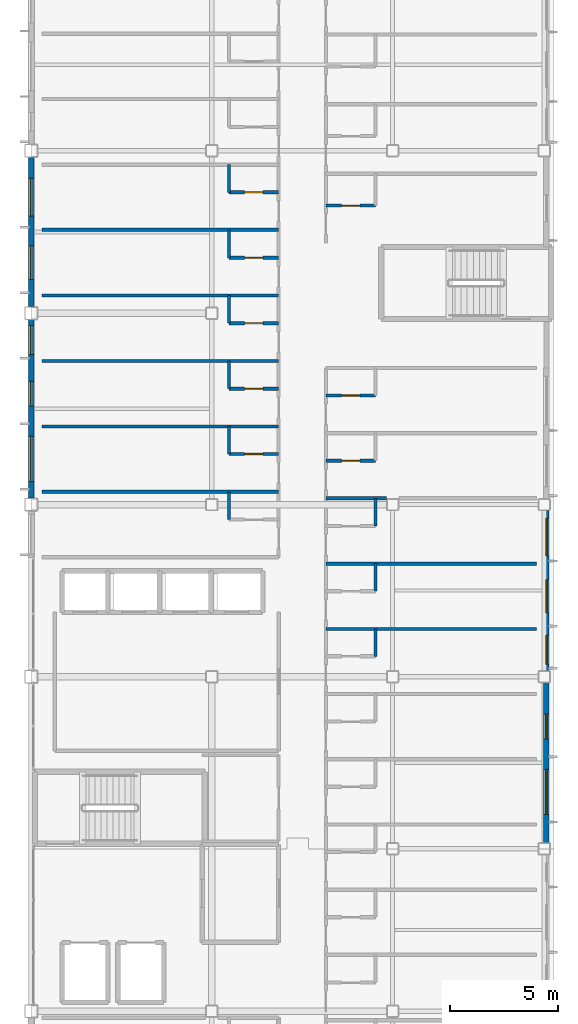
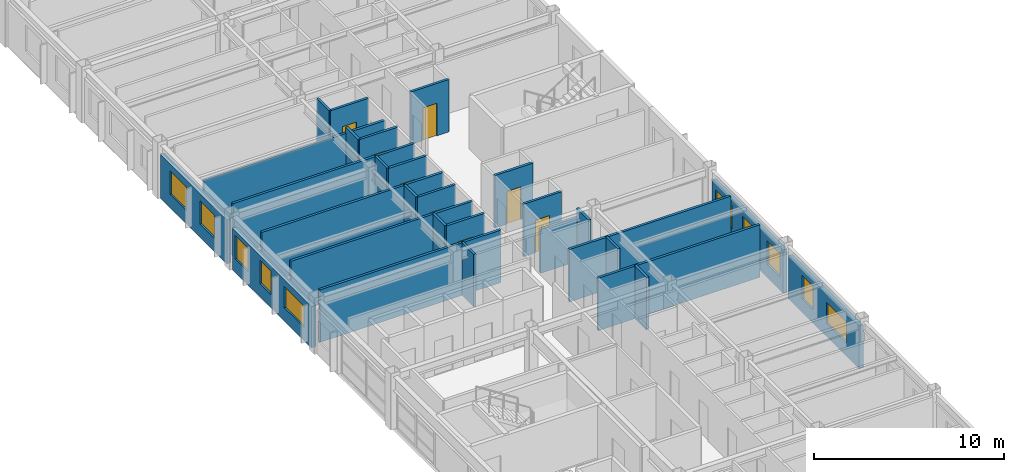
# One storey, part 29 of 38: 29 walls, 10 windows, 8 doors, 18 openings.
"""IFC4 building model written with IfcOpenShell, lengths in metres."""

from ifc_helpers import new_model, si_unit, direction, frame, frame_2d, origin, place, context, subcontext, project, spatial, rectangle, extrude, material, layer, layer_set, type_object, element, fill, save


model = new_model("IFC4")

# Units and contexts
model_context = context("Model", 3, precision=1e-05, world=origin(), true_north=direction((0.0, 1.0)))
body_context = subcontext(model_context, "Body", "Model", "MODEL_VIEW")
ifc_project = project(units=[si_unit("LENGTHUNIT", "METRE"), si_unit("AREAUNIT", "SQUARE_METRE"), si_unit("VOLUMEUNIT", "CUBIC_METRE"), si_unit("PLANEANGLEUNIT", "RADIAN"), si_unit("MASSUNIT", "GRAM", prefix="KILO")], contexts=[model_context])

# Site, building, storey
site_placement = place(None, origin())
site = spatial("IfcSite", under=ifc_project, at=site_placement, CompositionType="ELEMENT")
building_placement = place(site_placement, origin())
building = spatial("IfcBuilding", under=site, at=building_placement, Name="Kazehara Bluff Congress Hotel", CompositionType="ELEMENT")
storey_placement = place(building_placement, frame((0.0, 0.0, 24.60009765625)))
storey = spatial("IfcBuildingStorey", under=building, at=storey_placement, Name="L05", CompositionType="ELEMENT", Elevation=24.60009765625)

# Wall, openings, windows
ifc_material_1 = material(Name="Precast concrete C40/50", Category="concrete")
ifc_layer_1 = layer(ifc_material_1, 0.260009765625)
ifc_layer_set_1 = layer_set([ifc_layer_1], Name="Precast concrete C40/50")
wall_type_1 = type_object("IfcWallType", Name="TP-EW-260", PredefinedType="SOLIDWALL", material=ifc_layer_set_1)
wall_1_placement = place(storey_placement, frame((167.64990234375, 56.175048828125, 0.0), z_axis=(0.0, 0.0, 1.0), x_axis=(0.0, -1.0, 0.0)))
wall_1 = element("IfcWall", 1, at=wall_1_placement, inside=storey, type_object=wall_type_1, Name="L05 hotel facade panel 48", PredefinedType="SOLIDWALL", context=body_context, shape_type="SweptSolid", body=[
    extrude(rectangle(XDim=7.449951171875, YDim=0.260009765625, at=frame_2d((3.72509765625, 0.0))), origin(), (0.0, 0.0, 1.0), 2.7548828125),
])
opening_1_placement = place(wall_1_placement, frame((4.030029296875, 0.0, 0.85009765625)))
opening_1 = element("IfcOpeningElement", 2, at=opening_1_placement, cuts=wall_1, Name="Opening WN-46", PredefinedType="OPENING", context=body_context, shape_type="SweptSolid", body=[
    extrude(rectangle(XDim=2.10009765625, YDim=1.35009765625, at=frame_2d((1.050048828125, 0.675048828125))), frame((0.0, 0.139892578125, 0.0), z_axis=(0.0, -1.0, 0.0), x_axis=(1.0, 0.0, 0.0)), (0.0, 0.0, 1.0), 0.280029296875),
])
opening_2_placement = place(wall_1_placement, frame((1.469970703125, 0.0, 0.85009765625)))
opening_2 = element("IfcOpeningElement", 3, at=opening_2_placement, cuts=wall_1, Name="Opening WN-02", PredefinedType="OPENING", context=body_context, shape_type="SweptSolid", body=[
    extrude(rectangle(XDim=1.14990234375, YDim=1.5, at=frame_2d((0.574951171875, 0.75))), frame((0.0, 0.139892578125, 0.0), z_axis=(0.0, -1.0, 0.0), x_axis=(1.0, 0.0, 0.0)), (0.0, 0.0, 1.0), 0.280029296875),
])
ifc_material_2 = material(Name="Insulated low-E double glazing", Category="glass")
window_type_1 = type_object("IfcWindowType", Name="TP-WN-02", PartitioningType="SINGLE_PANEL", PredefinedType="WINDOW", material=ifc_material_2)
window_1_placement = place(opening_2_placement, origin())
window_1 = element("IfcWindow", 4, at=window_1_placement, inside=storey, type_object=window_type_1, Name="L05 guestroom window WN-02 82", OverallHeight=1.5, OverallWidth=1.14990234375, PartitioningType="SINGLE_PANEL", PredefinedType="WINDOW", context=body_context, shape_type="SweptSolid", body=[
    extrude(rectangle(XDim=1.14990234375, YDim=1.5, at=frame_2d((0.574951171875, 0.75))), frame((0.0, 0.030029296875, 0.0), z_axis=(0.0, -1.0, 0.0), x_axis=(1.0, 0.0, 0.0)), (0.0, 0.0, 1.0), 0.06005859375),
])
fill(opening_2, window_1)
ifc_material_3 = material(Name="Insulated low-E double glazing", Category="glass")
window_type_2 = type_object("IfcWindowType", Name="TP-WN-46", PartitioningType="DOUBLE_PANEL_VERTICAL", PredefinedType="WINDOW", material=ifc_material_3)
window_2_placement = place(opening_1_placement, origin())
window_2 = element("IfcWindow", 5, at=window_2_placement, inside=storey, type_object=window_type_2, Name="L05 guestroom window WN-46 81", OverallHeight=1.35009765625, OverallWidth=2.10009765625, PartitioningType="SINGLE_PANEL", PredefinedType="WINDOW", context=body_context, shape_type="SweptSolid", body=[
    extrude(rectangle(XDim=2.10009765625, YDim=1.35009765625, at=frame_2d((1.050048828125, 0.675048828125))), frame((0.0, 0.030029296875, 0.0), z_axis=(0.0, -1.0, 0.0), x_axis=(1.0, 0.0, 0.0)), (0.0, 0.0, 1.0), 0.06005859375),
])
fill(opening_1, window_2)

wall_2_placement = place(storey_placement, frame((167.64990234375, 64.175048828125, 0.0), z_axis=(0.0, 0.0, 1.0), x_axis=(0.0, -1.0, 0.0)))
wall_2 = element("IfcWall", 6, at=wall_2_placement, inside=storey, type_object=wall_type_1, Name="L05 hotel facade panel 49", PredefinedType="SOLIDWALL", context=body_context, shape_type="SweptSolid", body=[
    extrude(rectangle(XDim=7.449951171875, YDim=0.260009765625, at=frame_2d((3.72509765625, 0.0))), origin(), (0.0, 0.0, 1.0), 2.7548828125),
])
opening_3_placement = place(wall_2_placement, frame((5.800048828125, 0.0, 0.85009765625)))
opening_3 = element("IfcOpeningElement", 7, at=opening_3_placement, cuts=wall_2, Name="Opening WN-12", PredefinedType="OPENING", context=body_context, shape_type="SweptSolid", body=[
    extrude(rectangle(XDim=1.35009765625, YDim=1.5, at=frame_2d((0.675048828125, 0.75))), frame((0.0, 0.139892578125, 0.0), z_axis=(0.0, -1.0, 0.0), x_axis=(1.0, 0.0, 0.0)), (0.0, 0.0, 1.0), 0.280029296875),
])
opening_4_placement = place(wall_2_placement, frame((3.2099609375, 0.0, 0.85009765625)))
opening_4 = element("IfcOpeningElement", 8, at=opening_4_placement, cuts=wall_2, Name="Opening WN-22", PredefinedType="OPENING", context=body_context, shape_type="SweptSolid", body=[
    extrude(rectangle(XDim=1.550048828125, YDim=1.5, at=frame_2d((0.77490234375, 0.75))), frame((0.0, 0.139892578125, 0.0), z_axis=(0.0, -1.0, 0.0), x_axis=(1.0, 0.0, 0.0)), (0.0, 0.0, 1.0), 0.280029296875),
])
opening_5_placement = place(wall_2_placement, frame((0.360107421875, 0.0, 0.85009765625)))
opening_5 = element("IfcOpeningElement", 9, at=opening_5_placement, cuts=wall_2, Name="Opening WN-32", PredefinedType="OPENING", context=body_context, shape_type="SweptSolid", body=[
    extrude(rectangle(XDim=1.75, YDim=1.5, at=frame_2d((0.875, 0.75))), frame((0.0, 0.139892578125, 0.0), z_axis=(0.0, -1.0, 0.0), x_axis=(1.0, 0.0, 0.0)), (0.0, 0.0, 1.0), 0.280029296875),
])
ifc_material_4 = material(Name="Insulated low-E double glazing", Category="glass")
window_type_3 = type_object("IfcWindowType", Name="TP-WN-12", PartitioningType="SINGLE_PANEL", PredefinedType="WINDOW", material=ifc_material_4)
window_3_placement = place(opening_3_placement, origin())
window_3 = element("IfcWindow", 10, at=window_3_placement, inside=storey, type_object=window_type_3, Name="L05 guestroom window WN-12 83", OverallHeight=1.5, OverallWidth=1.35009765625, PartitioningType="SINGLE_PANEL", PredefinedType="WINDOW", context=body_context, shape_type="SweptSolid", body=[
    extrude(rectangle(XDim=1.35009765625, YDim=1.5, at=frame_2d((0.675048828125, 0.75))), frame((0.0, 0.030029296875, 0.0), z_axis=(0.0, -1.0, 0.0), x_axis=(1.0, 0.0, 0.0)), (0.0, 0.0, 1.0), 0.06005859375),
])
fill(opening_3, window_3)
ifc_material_5 = material(Name="Insulated low-E double glazing", Category="glass")
window_type_4 = type_object("IfcWindowType", Name="TP-WN-22", PartitioningType="SINGLE_PANEL", PredefinedType="WINDOW", material=ifc_material_5)
window_4_placement = place(opening_4_placement, origin())
window_4 = element("IfcWindow", 11, at=window_4_placement, inside=storey, type_object=window_type_4, Name="L05 guestroom window WN-22 84", OverallHeight=1.5, OverallWidth=1.550048828125, PartitioningType="SINGLE_PANEL", PredefinedType="WINDOW", context=body_context, shape_type="SweptSolid", body=[
    extrude(rectangle(XDim=1.550048828125, YDim=1.5, at=frame_2d((0.77490234375, 0.75))), frame((0.0, 0.030029296875, 0.0), z_axis=(0.0, -1.0, 0.0), x_axis=(1.0, 0.0, 0.0)), (0.0, 0.0, 1.0), 0.06005859375),
])
fill(opening_4, window_4)
ifc_material_6 = material(Name="Insulated low-E double glazing", Category="glass")
window_type_5 = type_object("IfcWindowType", Name="TP-WN-32", PartitioningType="SINGLE_PANEL", PredefinedType="WINDOW", material=ifc_material_6)
window_5_placement = place(opening_5_placement, origin())
window_5 = element("IfcWindow", 12, at=window_5_placement, inside=storey, type_object=window_type_5, Name="L05 guestroom window WN-32 85", OverallHeight=1.5, OverallWidth=1.75, PartitioningType="SINGLE_PANEL", PredefinedType="WINDOW", context=body_context, shape_type="SweptSolid", body=[
    extrude(rectangle(XDim=1.75, YDim=1.5, at=frame_2d((0.875, 0.75))), frame((0.0, 0.030029296875, 0.0), z_axis=(0.0, -1.0, 0.0), x_axis=(1.0, 0.0, 0.0)), (0.0, 0.0, 1.0), 0.06005859375),
])
fill(opening_5, window_5)

wall_3_placement = place(storey_placement, frame((143.699951171875, 64.75, 0.0), z_axis=(0.0, 0.0, 1.0), x_axis=(0.0, 1.0, 0.0)))
wall_3 = element("IfcWall", 13, at=wall_3_placement, inside=storey, type_object=wall_type_1, Name="L05 hotel facade panel 61", PredefinedType="SOLIDWALL", context=body_context, shape_type="SweptSolid", body=[
    extrude(rectangle(XDim=8.300048828125, YDim=0.260009765625, at=frame_2d((4.14990234375, 0.0))), origin(), (0.0, 0.0, 1.0), 2.65478515625),
])
opening_6_placement = place(wall_3_placement, frame((0.764892578125, 0.0, 0.85009765625)))
opening_6 = element("IfcOpeningElement", 14, at=opening_6_placement, cuts=wall_3, Name="Opening WN-46", PredefinedType="OPENING", context=body_context, shape_type="SweptSolid", body=[
    extrude(rectangle(XDim=2.10009765625, YDim=1.35009765625, at=frame_2d((1.050048828125, 0.675048828125))), frame((0.0, 0.139892578125, 0.0), z_axis=(0.0, -1.0, 0.0), x_axis=(1.0, 0.0, 0.0)), (0.0, 0.0, 1.0), 0.280029296875),
])
opening_7_placement = place(wall_3_placement, frame((4.280029296875, 0.0, 0.85009765625)))
opening_7 = element("IfcOpeningElement", 15, at=opening_7_placement, cuts=wall_3, Name="Opening WN-02", PredefinedType="OPENING", context=body_context, shape_type="SweptSolid", body=[
    extrude(rectangle(XDim=1.14990234375, YDim=1.5, at=frame_2d((0.574951171875, 0.75))), frame((0.0, 0.139892578125, 0.0), z_axis=(0.0, -1.0, 0.0), x_axis=(1.0, 0.0, 0.0)), (0.0, 0.0, 1.0), 0.280029296875),
])
opening_8_placement = place(wall_3_placement, frame((6.6650390625, 0.0, 0.85009765625)))
opening_8 = element("IfcOpeningElement", 16, at=opening_8_placement, cuts=wall_3, Name="Opening WN-12", PredefinedType="OPENING", context=body_context, shape_type="SweptSolid", body=[
    extrude(rectangle(XDim=1.35009765625, YDim=1.5, at=frame_2d((0.675048828125, 0.75))), frame((0.0, 0.139892578125, 0.0), z_axis=(0.0, -1.0, 0.0), x_axis=(1.0, 0.0, 0.0)), (0.0, 0.0, 1.0), 0.280029296875),
])
window_6_placement = place(opening_7_placement, origin())
window_6 = element("IfcWindow", 17, at=window_6_placement, inside=storey, type_object=window_type_1, Name="L05 guestroom window WN-02 107", OverallHeight=1.5, OverallWidth=1.14990234375, PartitioningType="SINGLE_PANEL", PredefinedType="WINDOW", context=body_context, shape_type="SweptSolid", body=[
    extrude(rectangle(XDim=1.14990234375, YDim=1.5, at=frame_2d((0.574951171875, 0.75))), frame((0.0, 0.030029296875, 0.0), z_axis=(0.0, -1.0, 0.0), x_axis=(1.0, 0.0, 0.0)), (0.0, 0.0, 1.0), 0.06005859375),
])
fill(opening_7, window_6)
window_7_placement = place(opening_8_placement, origin())
window_7 = element("IfcWindow", 18, at=window_7_placement, inside=storey, type_object=window_type_3, Name="L05 guestroom window WN-12 108", OverallHeight=1.5, OverallWidth=1.35009765625, PartitioningType="SINGLE_PANEL", PredefinedType="WINDOW", context=body_context, shape_type="SweptSolid", body=[
    extrude(rectangle(XDim=1.35009765625, YDim=1.5, at=frame_2d((0.675048828125, 0.75))), frame((0.0, 0.030029296875, 0.0), z_axis=(0.0, -1.0, 0.0), x_axis=(1.0, 0.0, 0.0)), (0.0, 0.0, 1.0), 0.06005859375),
])
fill(opening_8, window_7)
window_8_placement = place(opening_6_placement, origin())
window_8 = element("IfcWindow", 19, at=window_8_placement, inside=storey, type_object=window_type_2, Name="L05 guestroom window WN-46 106", OverallHeight=1.35009765625, OverallWidth=2.10009765625, PartitioningType="SINGLE_PANEL", PredefinedType="WINDOW", context=body_context, shape_type="SweptSolid", body=[
    extrude(rectangle(XDim=2.10009765625, YDim=1.35009765625, at=frame_2d((1.050048828125, 0.675048828125))), frame((0.0, 0.030029296875, 0.0), z_axis=(0.0, -1.0, 0.0), x_axis=(1.0, 0.0, 0.0)), (0.0, 0.0, 1.0), 0.06005859375),
])
fill(opening_6, window_8)

wall_4_placement = place(storey_placement, frame((143.699951171875, 73.64990234375, 0.0), z_axis=(0.0, 0.0, 1.0), x_axis=(0.0, 1.0, 0.0)))
wall_4 = element("IfcWall", 20, at=wall_4_placement, inside=storey, type_object=wall_type_1, Name="L05 hotel facade panel 62", PredefinedType="SOLIDWALL", context=body_context, shape_type="SweptSolid", body=[
    extrude(rectangle(XDim=6.9501953125, YDim=0.260009765625, at=frame_2d((3.47509765625, 0.0))), origin(), (0.0, 0.0, 1.0), 2.804931640625),
])
opening_9_placement = place(wall_4_placement, frame((1.264892578125, 0.0, 0.85009765625)))
opening_9 = element("IfcOpeningElement", 21, at=opening_9_placement, cuts=wall_4, Name="Opening WN-22", PredefinedType="OPENING", context=body_context, shape_type="SweptSolid", body=[
    extrude(rectangle(XDim=1.550048828125, YDim=1.5, at=frame_2d((0.77490234375, 0.75))), frame((0.0, 0.139892578125, 0.0), z_axis=(0.0, -1.0, 0.0), x_axis=(1.0, 0.0, 0.0)), (0.0, 0.0, 1.0), 0.280029296875),
])
opening_10_placement = place(wall_4_placement, frame((4.2099609375, 0.0, 0.85009765625)))
opening_10 = element("IfcOpeningElement", 22, at=opening_10_placement, cuts=wall_4, Name="Opening WN-32", PredefinedType="OPENING", context=body_context, shape_type="SweptSolid", body=[
    extrude(rectangle(XDim=1.75, YDim=1.5, at=frame_2d((0.875, 0.75))), frame((0.0, 0.139892578125, 0.0), z_axis=(0.0, -1.0, 0.0), x_axis=(1.0, 0.0, 0.0)), (0.0, 0.0, 1.0), 0.280029296875),
])
window_9_placement = place(opening_9_placement, origin())
window_9 = element("IfcWindow", 23, at=window_9_placement, inside=storey, type_object=window_type_4, Name="L05 guestroom window WN-22 109", OverallHeight=1.5, OverallWidth=1.550048828125, PartitioningType="SINGLE_PANEL", PredefinedType="WINDOW", context=body_context, shape_type="SweptSolid", body=[
    extrude(rectangle(XDim=1.550048828125, YDim=1.5, at=frame_2d((0.77490234375, 0.75))), frame((0.0, 0.030029296875, 0.0), z_axis=(0.0, -1.0, 0.0), x_axis=(1.0, 0.0, 0.0)), (0.0, 0.0, 1.0), 0.06005859375),
])
fill(opening_9, window_9)
window_10_placement = place(opening_10_placement, origin())
window_10 = element("IfcWindow", 24, at=window_10_placement, inside=storey, type_object=window_type_5, Name="L05 guestroom window WN-32 110", OverallHeight=1.5, OverallWidth=1.75, PartitioningType="SINGLE_PANEL", PredefinedType="WINDOW", context=body_context, shape_type="SweptSolid", body=[
    extrude(rectangle(XDim=1.75, YDim=1.5, at=frame_2d((0.875, 0.75))), frame((0.0, 0.030029296875, 0.0), z_axis=(0.0, -1.0, 0.0), x_axis=(1.0, 0.0, 0.0)), (0.0, 0.0, 1.0), 0.06005859375),
])
fill(opening_10, window_10)

# Walls
ifc_material_7 = material(Name="Fire-rated gypsum board stud partition")
ifc_layer_2 = layer(ifc_material_7, 0.14990234375)
ifc_layer_set_2 = layer_set([ifc_layer_2], Name="Fire-rated gypsum board stud partition")
wall_type_2 = type_object("IfcWallType", Name="TP-PT-150", PredefinedType="PARTITIONING", material=ifc_layer_set_2)
for number, where, z_axis, x_axis, name in (
    (25, (157.39990234375, 58.669921875, 0.0), (0.0, 0.0, 1.0), (1.0, 0.0, 0.0), "L05 partition PT-150 571"),
    (26, (157.39990234375, 61.699951171875, 0.0), (0.0, 0.0, 1.0), (1.0, 0.0, 0.0), "L05 partition PT-150 573"),
):
    element("IfcWall", number, at=place(storey_placement, frame(where, z_axis=z_axis, x_axis=x_axis)), inside=storey, type_object=wall_type_2, Name=name, PredefinedType="PARTITIONING", context=body_context, shape_type="SweptSolid", body=[
        extrude(rectangle(XDim=9.800048828125, YDim=0.14990234375, at=frame_2d((4.89990234375, 0.0))), origin(), (0.0, 0.0, 1.0), 3.364990234375),
    ])
wall_5_placement = place(storey_placement, frame((157.39990234375, 64.739990234375, 0.0), z_axis=(0.0, 0.0, 1.0), x_axis=(1.0, 0.0, 0.0)))
element("IfcWall", 27, at=wall_5_placement, inside=storey, type_object=wall_type_2, Name="L05 partition PT-150 577", PredefinedType="PARTITIONING", context=body_context, shape_type="SweptSolid", body=[
    extrude(rectangle(XDim=2.80517578125, YDim=0.14990234375, at=frame_2d((1.402587890625, 0.0))), origin(), (0.0, 0.0, 1.0), 2.804931640625),
])
wall_6_placement = place(storey_placement, frame((144.199951171875, 65.050048828125, 0.0), z_axis=(0.0, 0.0, 1.0), x_axis=(1.0, 0.0, 0.0)))
element("IfcWall", 28, at=wall_6_placement, inside=storey, type_object=wall_type_2, Name="L05 partition PT-150 579", PredefinedType="PARTITIONING", context=body_context, shape_type="SweptSolid", body=[
    extrude(rectangle(XDim=11.0, YDim=0.14990234375, at=frame_2d((5.5, 0.0))), origin(), (0.0, 0.0, 1.0), 3.364990234375),
])

# Wall, opening, door
wall_7_placement = place(storey_placement, frame((157.39990234375, 66.489990234375, 0.0), z_axis=(0.0, 0.0, 1.0), x_axis=(1.0, 0.0, 0.0)))
wall_7 = element("IfcWall", 29, at=wall_7_placement, inside=storey, type_object=wall_type_2, Name="L05 partition PT-150 580", PredefinedType="PARTITIONING", context=body_context, shape_type="SweptSolid", body=[
    extrude(rectangle(XDim=2.300048828125, YDim=0.14990234375, at=frame_2d((1.14990234375, 0.0))), origin(), (0.0, 0.0, 1.0), 3.364990234375),
])
opening_11_placement = place(wall_7_placement, frame((0.72509765625, 0.0, 0.0)))
opening_11 = element("IfcOpeningElement", 30, at=opening_11_placement, cuts=wall_7, Name="Opening BD-01", PredefinedType="OPENING", context=body_context, shape_type="SweptSolid", body=[
    extrude(rectangle(XDim=0.85009765625, YDim=2.10009765625, at=frame_2d((0.425048828125, 1.050048828125))), frame((0.0, 0.0849609375, 0.0), z_axis=(0.0, -1.0, 0.0), x_axis=(1.0, 0.0, 0.0)), (0.0, 0.0, 1.0), 0.169921875),
])
ifc_material_8 = material(Name="Architectural oak veneer leaf")
door_type = type_object("IfcDoorType", Name="TP-BD-01", OperationType="NOTDEFINED", PredefinedType="DOOR", material=ifc_material_8)
door_1_placement = place(opening_11_placement, origin())
door_1 = element("IfcDoor", 31, at=door_1_placement, inside=storey, type_object=door_type, Name="L05 En-suite Bathroom 111 door", OperationType="SINGLE_SWING_RIGHT", OverallHeight=2.10009765625, OverallWidth=0.85009765625, PredefinedType="DOOR", context=body_context, shape_type="SweptSolid", body=[
    extrude(rectangle(XDim=0.85009765625, YDim=2.10009765625, at=frame_2d((0.425048828125, 1.050048828125))), frame((0.0, 0.02490234375, 0.0), z_axis=(0.0, -1.0, 0.0), x_axis=(1.0, 0.0, 0.0)), (0.0, 0.0, 1.0), 0.050048828125),
])
fill(opening_11, door_1)

wall_8_placement = place(storey_placement, frame((152.89990234375, 66.800048828125, 0.0), z_axis=(0.0, 0.0, 1.0), x_axis=(1.0, 0.0, 0.0)))
wall_8 = element("IfcWall", 32, at=wall_8_placement, inside=storey, type_object=wall_type_2, Name="L05 partition PT-150 581", PredefinedType="PARTITIONING", context=body_context, shape_type="SweptSolid", body=[
    extrude(rectangle(XDim=2.300048828125, YDim=0.14990234375, at=frame_2d((1.14990234375, 0.0))), origin(), (0.0, 0.0, 1.0), 3.364990234375),
])
opening_12_placement = place(wall_8_placement, frame((0.72509765625, 0.0, 0.0)))
opening_12 = element("IfcOpeningElement", 33, at=opening_12_placement, cuts=wall_8, Name="Opening BD-01", PredefinedType="OPENING", context=body_context, shape_type="SweptSolid", body=[
    extrude(rectangle(XDim=0.85009765625, YDim=2.10009765625, at=frame_2d((0.425048828125, 1.050048828125))), frame((0.0, 0.0849609375, 0.0), z_axis=(0.0, -1.0, 0.0), x_axis=(1.0, 0.0, 0.0)), (0.0, 0.0, 1.0), 0.169921875),
])
door_2_placement = place(opening_12_placement, origin())
door_2 = element("IfcDoor", 34, at=door_2_placement, inside=storey, type_object=door_type, Name="L05 En-suite Bathroom 79 door", OperationType="SINGLE_SWING_RIGHT", OverallHeight=2.10009765625, OverallWidth=0.85009765625, PredefinedType="DOOR", context=body_context, shape_type="SweptSolid", body=[
    extrude(rectangle(XDim=0.85009765625, YDim=2.10009765625, at=frame_2d((0.425048828125, 1.050048828125))), frame((0.0, 0.02490234375, 0.0), z_axis=(0.0, -1.0, 0.0), x_axis=(1.0, 0.0, 0.0)), (0.0, 0.0, 1.0), 0.050048828125),
])
fill(opening_12, door_2)

# Wall
wall_9_placement = place(storey_placement, frame((144.199951171875, 68.080078125, 0.0), z_axis=(0.0, 0.0, 1.0), x_axis=(1.0, 0.0, 0.0)))
element("IfcWall", 35, at=wall_9_placement, inside=storey, type_object=wall_type_2, Name="L05 partition PT-150 583", PredefinedType="PARTITIONING", context=body_context, shape_type="SweptSolid", body=[
    extrude(rectangle(XDim=11.0, YDim=0.14990234375, at=frame_2d((5.5, 0.0))), origin(), (0.0, 0.0, 1.0), 3.364990234375),
])

# Wall, opening, door
wall_10_placement = place(storey_placement, frame((157.39990234375, 69.52001953125, 0.0), z_axis=(0.0, 0.0, 1.0), x_axis=(1.0, 0.0, 0.0)))
wall_10 = element("IfcWall", 36, at=wall_10_placement, inside=storey, type_object=wall_type_2, Name="L05 partition PT-150 584", PredefinedType="PARTITIONING", context=body_context, shape_type="SweptSolid", body=[
    extrude(rectangle(XDim=2.300048828125, YDim=0.14990234375, at=frame_2d((1.14990234375, 0.0))), origin(), (0.0, 0.0, 1.0), 3.364990234375),
])
opening_13_placement = place(wall_10_placement, frame((0.72509765625, 0.0, 0.0)))
opening_13 = element("IfcOpeningElement", 37, at=opening_13_placement, cuts=wall_10, Name="Opening BD-01", PredefinedType="OPENING", context=body_context, shape_type="SweptSolid", body=[
    extrude(rectangle(XDim=0.85009765625, YDim=2.10009765625, at=frame_2d((0.425048828125, 1.050048828125))), frame((0.0, 0.0849609375, 0.0), z_axis=(0.0, -1.0, 0.0), x_axis=(1.0, 0.0, 0.0)), (0.0, 0.0, 1.0), 0.169921875),
])
door_3_placement = place(opening_13_placement, origin())
door_3 = element("IfcDoor", 38, at=door_3_placement, inside=storey, type_object=door_type, Name="L05 En-suite Bathroom 112 door", OperationType="SINGLE_SWING_RIGHT", OverallHeight=2.10009765625, OverallWidth=0.85009765625, PredefinedType="DOOR", context=body_context, shape_type="SweptSolid", body=[
    extrude(rectangle(XDim=0.85009765625, YDim=2.10009765625, at=frame_2d((0.425048828125, 1.050048828125))), frame((0.0, 0.02490234375, 0.0), z_axis=(0.0, -1.0, 0.0), x_axis=(1.0, 0.0, 0.0)), (0.0, 0.0, 1.0), 0.050048828125),
])
fill(opening_13, door_3)

wall_11_placement = place(storey_placement, frame((152.89990234375, 69.830078125, 0.0), z_axis=(0.0, 0.0, 1.0), x_axis=(1.0, 0.0, 0.0)))
wall_11 = element("IfcWall", 39, at=wall_11_placement, inside=storey, type_object=wall_type_2, Name="L05 partition PT-150 585", PredefinedType="PARTITIONING", context=body_context, shape_type="SweptSolid", body=[
    extrude(rectangle(XDim=2.300048828125, YDim=0.14990234375, at=frame_2d((1.14990234375, 0.0))), origin(), (0.0, 0.0, 1.0), 3.364990234375),
])
opening_14_placement = place(wall_11_placement, frame((0.72509765625, 0.0, 0.0)))
opening_14 = element("IfcOpeningElement", 40, at=opening_14_placement, cuts=wall_11, Name="Opening BD-01", PredefinedType="OPENING", context=body_context, shape_type="SweptSolid", body=[
    extrude(rectangle(XDim=0.85009765625, YDim=2.10009765625, at=frame_2d((0.425048828125, 1.050048828125))), frame((0.0, 0.0849609375, 0.0), z_axis=(0.0, -1.0, 0.0), x_axis=(1.0, 0.0, 0.0)), (0.0, 0.0, 1.0), 0.169921875),
])
door_4_placement = place(opening_14_placement, origin())
door_4 = element("IfcDoor", 41, at=door_4_placement, inside=storey, type_object=door_type, Name="L05 En-suite Bathroom 80 door", OperationType="SINGLE_SWING_RIGHT", OverallHeight=2.10009765625, OverallWidth=0.85009765625, PredefinedType="DOOR", context=body_context, shape_type="SweptSolid", body=[
    extrude(rectangle(XDim=0.85009765625, YDim=2.10009765625, at=frame_2d((0.425048828125, 1.050048828125))), frame((0.0, 0.02490234375, 0.0), z_axis=(0.0, -1.0, 0.0), x_axis=(1.0, 0.0, 0.0)), (0.0, 0.0, 1.0), 0.050048828125),
])
fill(opening_14, door_4)

# Wall
wall_12_placement = place(storey_placement, frame((144.199951171875, 71.1298828125, 0.0), z_axis=(0.0, 0.0, 1.0), x_axis=(1.0, 0.0, 0.0)))
element("IfcWall", 42, at=wall_12_placement, inside=storey, type_object=wall_type_2, Name="L05 partition PT-150 587", PredefinedType="PARTITIONING", context=body_context, shape_type="SweptSolid", body=[
    extrude(rectangle(XDim=11.0, YDim=0.14990234375, at=frame_2d((5.5, 0.0))), origin(), (0.0, 0.0, 1.0), 3.364990234375),
])

# Wall, opening, door
wall_13_placement = place(storey_placement, frame((152.89990234375, 72.8798828125, 0.0), z_axis=(0.0, 0.0, 1.0), x_axis=(1.0, 0.0, 0.0)))
wall_13 = element("IfcWall", 43, at=wall_13_placement, inside=storey, type_object=wall_type_2, Name="L05 partition PT-150 588", PredefinedType="PARTITIONING", context=body_context, shape_type="SweptSolid", body=[
    extrude(rectangle(XDim=2.300048828125, YDim=0.14990234375, at=frame_2d((1.14990234375, 0.0))), origin(), (0.0, 0.0, 1.0), 3.364990234375),
])
opening_15_placement = place(wall_13_placement, frame((0.72509765625, 0.0, 0.0)))
opening_15 = element("IfcOpeningElement", 44, at=opening_15_placement, cuts=wall_13, Name="Opening BD-01", PredefinedType="OPENING", context=body_context, shape_type="SweptSolid", body=[
    extrude(rectangle(XDim=0.85009765625, YDim=2.10009765625, at=frame_2d((0.425048828125, 1.050048828125))), frame((0.0, 0.0849609375, 0.0), z_axis=(0.0, -1.0, 0.0), x_axis=(1.0, 0.0, 0.0)), (0.0, 0.0, 1.0), 0.169921875),
])
door_5_placement = place(opening_15_placement, origin())
door_5 = element("IfcDoor", 45, at=door_5_placement, inside=storey, type_object=door_type, Name="L05 En-suite Bathroom 81 door", OperationType="SINGLE_SWING_RIGHT", OverallHeight=2.10009765625, OverallWidth=0.85009765625, PredefinedType="DOOR", context=body_context, shape_type="SweptSolid", body=[
    extrude(rectangle(XDim=0.85009765625, YDim=2.10009765625, at=frame_2d((0.425048828125, 1.050048828125))), frame((0.0, 0.02490234375, 0.0), z_axis=(0.0, -1.0, 0.0), x_axis=(1.0, 0.0, 0.0)), (0.0, 0.0, 1.0), 0.050048828125),
])
fill(opening_15, door_5)

# Wall
wall_14_placement = place(storey_placement, frame((144.199951171875, 74.169921875, 0.0), z_axis=(0.0, 0.0, 1.0), x_axis=(1.0, 0.0, 0.0)))
element("IfcWall", 46, at=wall_14_placement, inside=storey, type_object=wall_type_2, Name="L05 partition PT-150 589", PredefinedType="PARTITIONING", context=body_context, shape_type="SweptSolid", body=[
    extrude(rectangle(XDim=11.0, YDim=0.14990234375, at=frame_2d((5.5, 0.0))), origin(), (0.0, 0.0, 1.0), 3.364990234375),
])

# Wall, opening, door
wall_15_placement = place(storey_placement, frame((152.89990234375, 75.919921875, 0.0), z_axis=(0.0, 0.0, 1.0), x_axis=(1.0, 0.0, 0.0)))
wall_15 = element("IfcWall", 47, at=wall_15_placement, inside=storey, type_object=wall_type_2, Name="L05 partition PT-150 590", PredefinedType="PARTITIONING", context=body_context, shape_type="SweptSolid", body=[
    extrude(rectangle(XDim=2.300048828125, YDim=0.14990234375, at=frame_2d((1.14990234375, 0.0))), origin(), (0.0, 0.0, 1.0), 3.364990234375),
])
opening_16_placement = place(wall_15_placement, frame((0.72509765625, 0.0, 0.0)))
opening_16 = element("IfcOpeningElement", 48, at=opening_16_placement, cuts=wall_15, Name="Opening BD-01", PredefinedType="OPENING", context=body_context, shape_type="SweptSolid", body=[
    extrude(rectangle(XDim=0.85009765625, YDim=2.10009765625, at=frame_2d((0.425048828125, 1.050048828125))), frame((0.0, 0.0849609375, 0.0), z_axis=(0.0, -1.0, 0.0), x_axis=(1.0, 0.0, 0.0)), (0.0, 0.0, 1.0), 0.169921875),
])
door_6_placement = place(opening_16_placement, origin())
door_6 = element("IfcDoor", 49, at=door_6_placement, inside=storey, type_object=door_type, Name="L05 En-suite Bathroom 82 door", OperationType="SINGLE_SWING_RIGHT", OverallHeight=2.10009765625, OverallWidth=0.85009765625, PredefinedType="DOOR", context=body_context, shape_type="SweptSolid", body=[
    extrude(rectangle(XDim=0.85009765625, YDim=2.10009765625, at=frame_2d((0.425048828125, 1.050048828125))), frame((0.0, 0.02490234375, 0.0), z_axis=(0.0, -1.0, 0.0), x_axis=(1.0, 0.0, 0.0)), (0.0, 0.0, 1.0), 0.050048828125),
])
fill(opening_16, door_6)

# Wall
wall_16_placement = place(storey_placement, frame((144.199951171875, 77.219970703125, 0.0), z_axis=(0.0, 0.0, 1.0), x_axis=(1.0, 0.0, 0.0)))
element("IfcWall", 50, at=wall_16_placement, inside=storey, type_object=wall_type_2, Name="L05 partition PT-150 591", PredefinedType="PARTITIONING", context=body_context, shape_type="SweptSolid", body=[
    extrude(rectangle(XDim=11.0, YDim=0.14990234375, at=frame_2d((5.5, 0.0))), origin(), (0.0, 0.0, 1.0), 3.0048828125),
])

# Wall, opening, door
wall_17_placement = place(storey_placement, frame((157.39990234375, 78.35009765625, 0.0), z_axis=(0.0, 0.0, 1.0), x_axis=(1.0, 0.0, 0.0)))
wall_17 = element("IfcWall", 51, at=wall_17_placement, inside=storey, type_object=wall_type_2, Name="L05 partition PT-150 592", PredefinedType="PARTITIONING", context=body_context, shape_type="SweptSolid", body=[
    extrude(rectangle(XDim=2.300048828125, YDim=0.14990234375, at=frame_2d((1.14990234375, 0.0))), origin(), (0.0, 0.0, 1.0), 3.364990234375),
])
opening_17_placement = place(wall_17_placement, frame((0.72509765625, 0.0, 0.0)))
opening_17 = element("IfcOpeningElement", 52, at=opening_17_placement, cuts=wall_17, Name="Opening BD-01", PredefinedType="OPENING", context=body_context, shape_type="SweptSolid", body=[
    extrude(rectangle(XDim=0.85009765625, YDim=2.10009765625, at=frame_2d((0.425048828125, 1.050048828125))), frame((0.0, 0.0849609375, 0.0), z_axis=(0.0, -1.0, 0.0), x_axis=(1.0, 0.0, 0.0)), (0.0, 0.0, 1.0), 0.169921875),
])
door_7_placement = place(opening_17_placement, origin())
door_7 = element("IfcDoor", 53, at=door_7_placement, inside=storey, type_object=door_type, Name="L05 En-suite Bathroom 113 door", OperationType="SINGLE_SWING_RIGHT", OverallHeight=2.10009765625, OverallWidth=0.85009765625, PredefinedType="DOOR", context=body_context, shape_type="SweptSolid", body=[
    extrude(rectangle(XDim=0.85009765625, YDim=2.10009765625, at=frame_2d((0.425048828125, 1.050048828125))), frame((0.0, 0.02490234375, 0.0), z_axis=(0.0, -1.0, 0.0), x_axis=(1.0, 0.0, 0.0)), (0.0, 0.0, 1.0), 0.050048828125),
])
fill(opening_17, door_7)

wall_18_placement = place(storey_placement, frame((152.89990234375, 78.969970703125, 0.0), z_axis=(0.0, 0.0, 1.0), x_axis=(1.0, 0.0, 0.0)))
wall_18 = element("IfcWall", 54, at=wall_18_placement, inside=storey, type_object=wall_type_2, Name="L05 partition PT-150 593", PredefinedType="PARTITIONING", context=body_context, shape_type="SweptSolid", body=[
    extrude(rectangle(XDim=2.300048828125, YDim=0.14990234375, at=frame_2d((1.14990234375, 0.0))), origin(), (0.0, 0.0, 1.0), 3.364990234375),
])
opening_18_placement = place(wall_18_placement, frame((0.72509765625, 0.0, 0.0)))
opening_18 = element("IfcOpeningElement", 55, at=opening_18_placement, cuts=wall_18, Name="Opening BD-01", PredefinedType="OPENING", context=body_context, shape_type="SweptSolid", body=[
    extrude(rectangle(XDim=0.85009765625, YDim=2.10009765625, at=frame_2d((0.425048828125, 1.050048828125))), frame((0.0, 0.0849609375, 0.0), z_axis=(0.0, -1.0, 0.0), x_axis=(1.0, 0.0, 0.0)), (0.0, 0.0, 1.0), 0.169921875),
])
door_8_placement = place(opening_18_placement, origin())
door_8 = element("IfcDoor", 56, at=door_8_placement, inside=storey, type_object=door_type, Name="L05 En-suite Bathroom 83 door", OperationType="SINGLE_SWING_RIGHT", OverallHeight=2.10009765625, OverallWidth=0.85009765625, PredefinedType="DOOR", context=body_context, shape_type="SweptSolid", body=[
    extrude(rectangle(XDim=0.85009765625, YDim=2.10009765625, at=frame_2d((0.425048828125, 1.050048828125))), frame((0.0, 0.02490234375, 0.0), z_axis=(0.0, -1.0, 0.0), x_axis=(1.0, 0.0, 0.0)), (0.0, 0.0, 1.0), 0.050048828125),
])
fill(opening_18, door_8)

# Walls
wall_19_placement = place(storey_placement, frame((152.89990234375, 63.75, 0.0), z_axis=(0.0, 0.0, 1.0), x_axis=(0.0, 1.0, 0.0)))
element("IfcWall", 57, at=wall_19_placement, inside=storey, type_object=wall_type_2, Name="L05 partition PT-150 636", PredefinedType="PARTITIONING", context=body_context, shape_type="SweptSolid", body=[
    extrude(rectangle(XDim=1.294921875, YDim=0.14990234375, at=frame_2d((0.6474609375, 0.0))), origin(), (0.0, 0.0, 1.0), 3.364990234375),
])
wall_20_placement = place(storey_placement, frame((152.89990234375, 66.794921875, 0.0), z_axis=(0.0, 0.0, 1.0), x_axis=(0.0, 1.0, 0.0)))
element("IfcWall", 58, at=wall_20_placement, inside=storey, type_object=wall_type_2, Name="L05 partition PT-150 637", PredefinedType="PARTITIONING", context=body_context, shape_type="SweptSolid", body=[
    extrude(rectangle(XDim=1.2900390625, YDim=0.14990234375, at=frame_2d((0.64501953125, 0.0))), origin(), (0.0, 0.0, 1.0), 3.364990234375),
])
wall_21_placement = place(storey_placement, frame((152.89990234375, 69.8349609375, 0.0), z_axis=(0.0, 0.0, 1.0), x_axis=(0.0, 1.0, 0.0)))
element("IfcWall", 59, at=wall_21_placement, inside=storey, type_object=wall_type_2, Name="L05 partition PT-150 638", PredefinedType="PARTITIONING", context=body_context, shape_type="SweptSolid", body=[
    extrude(rectangle(XDim=1.294921875, YDim=0.14990234375, at=frame_2d((0.6474609375, 0.0))), origin(), (0.0, 0.0, 1.0), 3.364990234375),
])
wall_22_placement = place(storey_placement, frame((152.89990234375, 72.8798828125, 0.0), z_axis=(0.0, 0.0, 1.0), x_axis=(0.0, 1.0, 0.0)))
element("IfcWall", 60, at=wall_22_placement, inside=storey, type_object=wall_type_2, Name="L05 partition PT-150 639", PredefinedType="PARTITIONING", context=body_context, shape_type="SweptSolid", body=[
    extrude(rectangle(XDim=1.2900390625, YDim=0.14990234375, at=frame_2d((0.64501953125, 0.0))), origin(), (0.0, 0.0, 1.0), 3.364990234375),
])
wall_23_placement = place(storey_placement, frame((152.89990234375, 75.919921875, 0.0), z_axis=(0.0, 0.0, 1.0), x_axis=(0.0, 1.0, 0.0)))
element("IfcWall", 61, at=wall_23_placement, inside=storey, type_object=wall_type_2, Name="L05 partition PT-150 640", PredefinedType="PARTITIONING", context=body_context, shape_type="SweptSolid", body=[
    extrude(rectangle(XDim=1.295166015625, YDim=0.14990234375, at=frame_2d((0.6474609375, 0.0))), origin(), (0.0, 0.0, 1.0), 3.364990234375),
])
wall_24_placement = place(storey_placement, frame((152.89990234375, 78.965087890625, 0.0), z_axis=(0.0, 0.0, 1.0), x_axis=(0.0, 1.0, 0.0)))
element("IfcWall", 62, at=wall_24_placement, inside=storey, type_object=wall_type_2, Name="L05 partition PT-150 641", PredefinedType="PARTITIONING", context=body_context, shape_type="SweptSolid", body=[
    extrude(rectangle(XDim=1.289794921875, YDim=0.14990234375, at=frame_2d((0.64501953125, 0.0))), origin(), (0.0, 0.0, 1.0), 3.364990234375),
])
for number, where, z_axis, x_axis, name in (
    (63, (159.699951171875, 57.39501953125, 0.0), (0.0, 0.0, 1.0), (0.0, 1.0, 0.0), "L05 partition PT-150 676"),
    (64, (159.699951171875, 60.425048828125, 0.0), (0.0, 0.0, 1.0), (0.0, 1.0, 0.0), "L05 partition PT-150 677"),
):
    element("IfcWall", number, at=place(storey_placement, frame(where, z_axis=z_axis, x_axis=x_axis)), inside=storey, type_object=wall_type_2, Name=name, PredefinedType="PARTITIONING", context=body_context, shape_type="SweptSolid", body=[
        extrude(rectangle(XDim=1.280029296875, YDim=0.14990234375, at=frame_2d((0.64013671875, 0.0))), origin(), (0.0, 0.0, 1.0), 3.364990234375),
    ])
wall_25_placement = place(storey_placement, frame((159.699951171875, 63.455078125, 0.0), z_axis=(0.0, 0.0, 1.0), x_axis=(0.0, 1.0, 0.0)))
element("IfcWall", 65, at=wall_25_placement, inside=storey, type_object=wall_type_2, Name="L05 partition PT-150 678", PredefinedType="PARTITIONING", context=body_context, shape_type="SweptSolid", body=[
    extrude(rectangle(XDim=1.284912109375, YDim=0.14990234375, at=frame_2d((0.642578125, 0.0))), origin(), (0.0, 0.0, 1.0), 3.364990234375),
])

save(model, "model.ifc")
